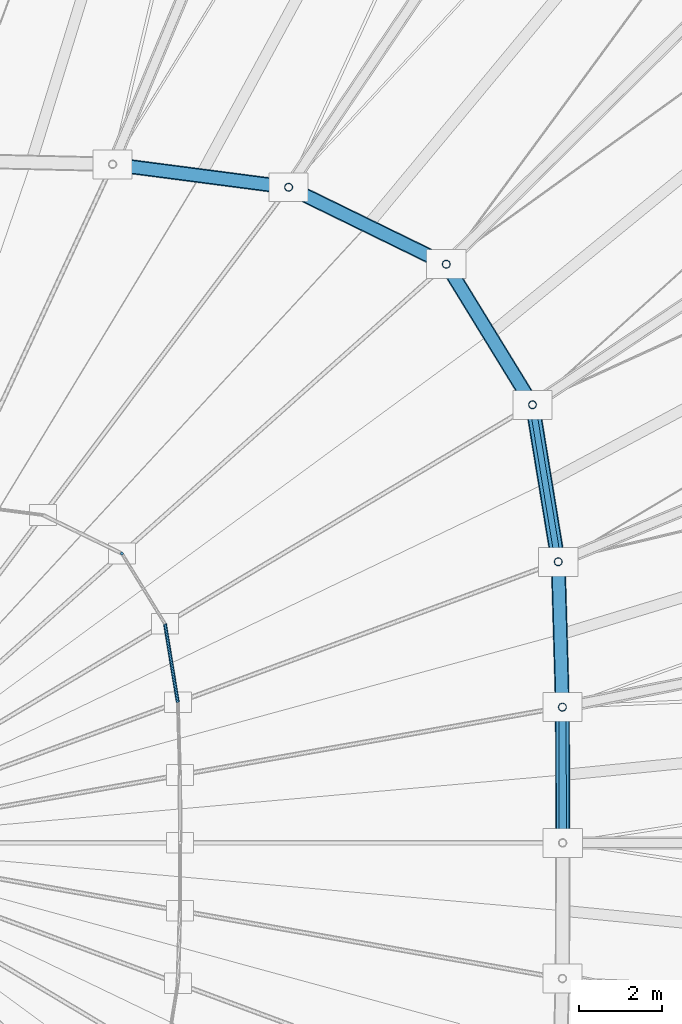
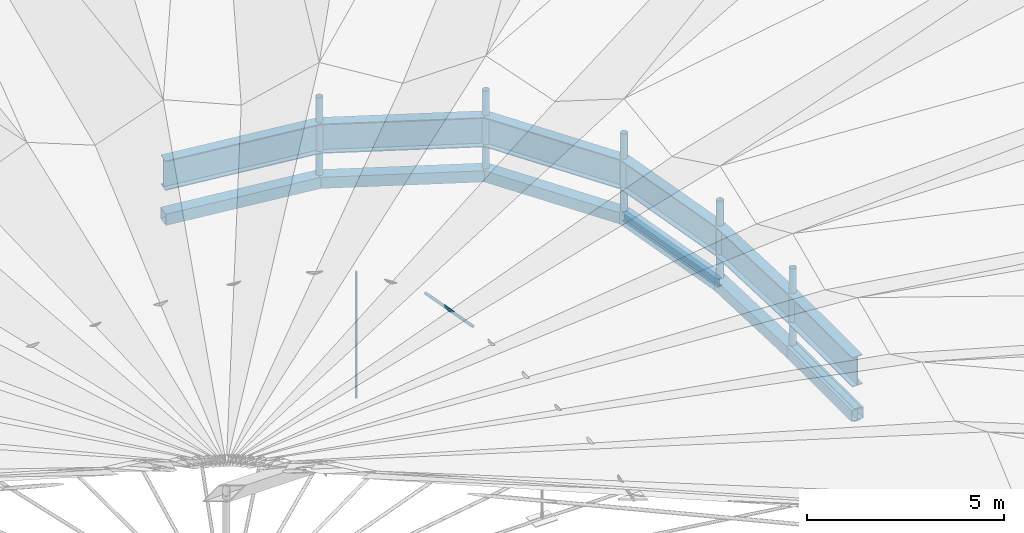
# One storey, part 23 of 41: 13 members, 8 beams.
"""IFC4 building model written with IfcOpenShell, lengths in metres."""

from ifc_helpers import new_model, si_unit, direction, frame, origin, origin_2d, place, context, subcontext, project, spatial, hollow_rectangle, circle, hollow_circle, i_section, extrude, material, material_profile, profile_set, type_object, element, save


model = new_model("IFC4")

# Units and contexts
model_context = context("Model", 3, precision=1e-05, world=origin(), true_north=direction((0.0, 1.0)))
body_context = subcontext(model_context, "Body", "Model", "MODEL_VIEW")
ifc_project = project(units=[si_unit("LENGTHUNIT", "METRE"), si_unit("AREAUNIT", "SQUARE_METRE"), si_unit("VOLUMEUNIT", "CUBIC_METRE"), si_unit("PLANEANGLEUNIT", "RADIAN"), si_unit("MASSUNIT", "GRAM", prefix="KILO")], contexts=[model_context])

# Site, building, storey
site_placement = place(None, origin())
site = spatial("IfcSite", under=ifc_project, at=site_placement, CompositionType="ELEMENT")
building_placement = place(site_placement, origin())
building = spatial("IfcBuilding", under=site, at=building_placement, Name="Luwafu Chhajja Arena", CompositionType="ELEMENT")
storey_placement = place(building_placement, frame((0.0, 0.0, 29.699951171875)))
storey = spatial("IfcBuildingStorey", under=building, at=storey_placement, Name="RF", CompositionType="ELEMENT", Elevation=29.699951171875)

# Beam
ifc_material_1 = material(Name="Steel S355", Category="steel")
ifc_material_profile_1 = material_profile(ifc_material_1, i_section(OverallWidth=0.146484375, OverallDepth=0.256103515625, WebThickness=0.00634765625, FlangeThickness=0.010986328125, at=origin_2d()), Name="UB 254x146x37")
ifc_profile_set_1 = profile_set([ifc_material_profile_1], Name="Steel S355")
beam_type_1 = type_object("IfcBeamType", Name="Catwalk Joist UB 254x146x37", PredefinedType="JOIST", material=ifc_profile_set_1)
beam_1_placement = place(storey_placement, frame((117.392822265625, 56.294921875, 4.10009765625), z_axis=(-0.161608835362, 0.986854895277, 0.0), x_axis=(-0.986854895277, -0.161608835362, 0.0)))
element("IfcBeam", 1, at=beam_1_placement, inside=storey, type_object=beam_type_1, Name="Roof Catwalk Joist CJ-01", PredefinedType="JOIST", context=body_context, shape_type="SweptSolid", body=[
    extrude(i_section(OverallWidth=0.146484375, OverallDepth=0.256103515625, WebThickness=0.00634765625, FlangeThickness=0.010986328125, at=origin_2d()), origin(), (0.0, 0.0, 1.0), 3.84619140625),
])

# Members
ifc_material_profile_2 = material_profile(ifc_material_1, hollow_circle(Radius=0.096923828125, WallThickness=0.008056640625, at=origin_2d()), Name="CHS 193.7x8")
ifc_profile_set_2 = profile_set([ifc_material_profile_2], Name="Steel S355")
member_type_1 = type_object("IfcMemberType", Name="Folded Pleat Tie Strut CHS 194", PredefinedType="BRACE", material=ifc_profile_set_2)
for number, where, z_axis, x_axis, name in (
    (2, (117.4951171875, 52.78125, 4.10009765625), (0.0, 0.0, 1.0), (1.0, 0.0, 0.0), "Roof Inner Ring Truss Web IRW-02"),
    (3, (117.392822265625, 56.294921875, 4.10009765625), (0.0, 0.0, 1.0), (1.0, 0.0, 0.0), "Roof Inner Ring Truss Web IRW-03"),
    (4, (116.771240234375, 60.090576171875, 4.10009765625), (0.0, 0.0, 1.0), (1.0, 0.0, 0.0), "Roof Inner Ring Truss Web IRW-04"),
    (5, (114.685546875, 63.48974609375, 4.10009765625), (0.0, 0.0, 1.0), (1.0, 0.0, 0.0), "Roof Inner Ring Truss Web IRW-05"),
    (6, (110.874267578125, 65.35009765625, 4.10009765625), (0.0, 0.0, 1.0), (1.0, 0.0, 0.0), "Roof Inner Ring Truss Web IRW-06"),
):
    element("IfcMember", number, at=place(storey_placement, frame(where, z_axis=z_axis, x_axis=x_axis)), inside=storey, type_object=member_type_1, Name=name, PredefinedType="BRACE", context=body_context, shape_type="SweptSolid", body=[
        extrude(hollow_circle(Radius=0.096923828125, WallThickness=0.008056640625, at=origin_2d()), origin(), (0.0, 0.0, 1.0), 2.579833984375),
    ])

# Beams
ifc_material_profile_3 = material_profile(ifc_material_1, i_section(OverallWidth=0.305419921875, OverallDepth=0.91845703125, WebThickness=0.017333984375, FlangeThickness=0.02783203125, at=origin_2d()), Name="UB 914x305x253")
ifc_profile_set_3 = profile_set([ifc_material_profile_3], Name="Steel S355")
beam_type_2 = type_object("IfcBeamType", Name="Inner Tension Ring Girder UB 914x305x253", PredefinedType="BEAM", material=ifc_profile_set_3)
beam_2_placement = place(storey_placement, frame((117.5, 49.5, 5.449951171875), z_axis=(-0.00148809359, 0.999998892788, 0.0), x_axis=(-0.999998892788, -0.00148809359, 0.0)))
element("IfcBeam", 7, at=beam_2_placement, inside=storey, type_object=beam_type_2, Name="Roof Inner Tension Ring Beam IR-01", PredefinedType="BEAM", context=body_context, shape_type="SweptSolid", body=[
    extrude(i_section(OverallWidth=0.305419921875, OverallDepth=0.91845703125, WebThickness=0.017333984375, FlangeThickness=0.02783203125, at=origin_2d()), origin(), (0.0, 0.0, 1.0), 3.28125),
])
beam_3_placement = place(storey_placement, frame((117.4951171875, 52.78125, 5.449951171875), z_axis=(-0.029101066059, 0.99957647429, 0.0), x_axis=(-0.99957647429, -0.029101066059, 0.0)))
element("IfcBeam", 8, at=beam_3_placement, inside=storey, type_object=beam_type_2, Name="Roof Inner Tension Ring Beam IR-02", PredefinedType="BEAM", context=body_context, shape_type="SweptSolid", body=[
    extrude(i_section(OverallWidth=0.305419921875, OverallDepth=0.91845703125, WebThickness=0.017333984375, FlangeThickness=0.02783203125, at=origin_2d()), origin(), (0.0, 0.0, 1.0), 3.51513671875),
])
beam_4_placement = place(storey_placement, frame((117.392822265625, 56.294921875, 5.449951171875), z_axis=(-0.161608835362, 0.986854895277, 0.0), x_axis=(-0.986854895277, -0.161608835362, 0.0)))
element("IfcBeam", 9, at=beam_4_placement, inside=storey, type_object=beam_type_2, Name="Roof Inner Tension Ring Beam IR-03", PredefinedType="BEAM", context=body_context, shape_type="SweptSolid", body=[
    extrude(i_section(OverallWidth=0.305419921875, OverallDepth=0.91845703125, WebThickness=0.017333984375, FlangeThickness=0.02783203125, at=origin_2d()), origin(), (0.0, 0.0, 1.0), 3.84619140625),
])
beam_5_placement = place(storey_placement, frame((116.771240234375, 60.090576171875, 5.449951171875), z_axis=(-0.522986908325, 0.852340714574, 0.0), x_axis=(-0.852340714574, -0.522986908325, 0.0)))
element("IfcBeam", 10, at=beam_5_placement, inside=storey, type_object=beam_type_2, Name="Roof Inner Tension Ring Beam IR-04", PredefinedType="BEAM", context=body_context, shape_type="SweptSolid", body=[
    extrude(i_section(OverallWidth=0.305419921875, OverallDepth=0.91845703125, WebThickness=0.017333984375, FlangeThickness=0.02783203125, at=origin_2d()), origin(), (0.0, 0.0, 1.0), 3.988037109375),
])
beam_6_placement = place(storey_placement, frame((114.685546875, 63.48974609375, 5.449951171875), z_axis=(-0.898657766994, 0.438650450611, 0.0), x_axis=(-0.438650450611, -0.898657766994, 0.0)))
element("IfcBeam", 11, at=beam_6_placement, inside=storey, type_object=beam_type_2, Name="Roof Inner Tension Ring Beam IR-05", PredefinedType="BEAM", context=body_context, shape_type="SweptSolid", body=[
    extrude(i_section(OverallWidth=0.305419921875, OverallDepth=0.91845703125, WebThickness=0.017333984375, FlangeThickness=0.02783203125, at=origin_2d()), origin(), (0.0, 0.0, 1.0), 4.240966796875),
])
beam_7_placement = place(storey_placement, frame((110.874267578125, 65.35009765625, 5.449951171875), z_axis=(-0.9916194337, 0.129193261083, 0.0), x_axis=(-0.129193261083, -0.9916194337, 0.0)))
element("IfcBeam", 12, at=beam_7_placement, inside=storey, type_object=beam_type_2, Name="Roof Inner Tension Ring Beam IR-06", PredefinedType="BEAM", context=body_context, shape_type="SweptSolid", body=[
    extrude(i_section(OverallWidth=0.305419921875, OverallDepth=0.91845703125, WebThickness=0.017333984375, FlangeThickness=0.02783203125, at=origin_2d()), origin(), (0.0, 0.0, 1.0), 4.29150390625),
])

# Members
ifc_material_2 = material(Name="Steel S460", Category="steel")
ifc_material_profile_4 = material_profile(ifc_material_2, circle(Radius=0.04248046875, at=origin_2d()), Name="CABLE D85")
ifc_profile_set_4 = profile_set([ifc_material_profile_4], Name="Steel S460")
member_type_2 = type_object("IfcMemberType", Name="Oculus Hoop Tie Cable D85", PredefinedType="USERDEFINED", material=ifc_profile_set_4)
member_1_placement = place(storey_placement, frame((108.1962890625, 52.8974609375, 8.02001953125), z_axis=(-0.161598712618, 0.98685655294, 0.0), x_axis=(-0.98685655294, -0.161598712618, 0.0)))
element("IfcMember", 13, at=member_1_placement, inside=storey, type_object=member_type_2, Name="Cable net hoop cable CBH-03", ObjectType="CABLE", PredefinedType="USERDEFINED", context=body_context, shape_type="SweptSolid", body=[
    extrude(circle(Radius=0.04248046875, at=origin_2d()), origin(), (0.0, 0.0, 1.0), 1.92333984375),
])
ifc_material_profile_5 = material_profile(ifc_material_2, circle(Radius=0.034912109375, at=origin_2d()), Name="CABLE D70")
ifc_profile_set_5 = profile_set([ifc_material_profile_5], Name="Steel S460")
member_type_3 = type_object("IfcMemberType", Name="Oculus Secondary Tie Cable D70", PredefinedType="USERDEFINED", material=ifc_profile_set_5)
member_2_placement = place(storey_placement, frame((106.8427734375, 56.494873046875, 4.10009765625), z_axis=(0.0, 0.0, 1.0), x_axis=(1.0, 0.0, 0.0)))
element("IfcMember", 14, at=member_2_placement, inside=storey, type_object=member_type_3, Name="Cable net vertical hanger tie CBT-02", ObjectType="CABLE", PredefinedType="USERDEFINED", context=body_context, shape_type="SweptSolid", body=[
    extrude(circle(Radius=0.034912109375, at=origin_2d()), origin(), (0.0, 0.0, 1.0), 3.919921875),
])
ifc_material_profile_6 = material_profile(ifc_material_1, hollow_rectangle(XDim=0.35009765625, YDim=0.35009765625, WallThickness=0.01611328125, at=origin_2d()), Name="SHS 350x350x16")
ifc_profile_set_6 = profile_set([ifc_material_profile_6], Name="Steel S355")
member_type_4 = type_object("IfcMemberType", Name="Ring Stabilizing Truss Chord SHS 350", PredefinedType="CHORD", material=ifc_profile_set_6)
member_3_placement = place(storey_placement, frame((117.5, 49.5, 4.10009765625), z_axis=(-0.00148809359, 0.999998892788, 0.0), x_axis=(-0.999998892788, -0.00148809359, 0.0)))
element("IfcMember", 15, at=member_3_placement, inside=storey, type_object=member_type_4, Name="Roof Inner Stabilizing Ring Chord IRC-01", PredefinedType="CHORD", context=body_context, shape_type="SweptSolid", body=[
    extrude(hollow_rectangle(XDim=0.35009765625, YDim=0.35009765625, WallThickness=0.01611328125, at=origin_2d()), origin(), (0.0, 0.0, 1.0), 3.28125),
])
member_4_placement = place(storey_placement, frame((117.4951171875, 52.78125, 4.10009765625), z_axis=(-0.029101066059, 0.99957647429, 0.0), x_axis=(-0.99957647429, -0.029101066059, 0.0)))
element("IfcMember", 16, at=member_4_placement, inside=storey, type_object=member_type_4, Name="Roof Inner Stabilizing Ring Chord IRC-02", PredefinedType="CHORD", context=body_context, shape_type="SweptSolid", body=[
    extrude(hollow_rectangle(XDim=0.35009765625, YDim=0.35009765625, WallThickness=0.01611328125, at=origin_2d()), origin(), (0.0, 0.0, 1.0), 3.51513671875),
])
member_5_placement = place(storey_placement, frame((117.392822265625, 56.294921875, 4.10009765625), z_axis=(-0.161608835362, 0.986854895277, 0.0), x_axis=(-0.986854895277, -0.161608835362, 0.0)))
element("IfcMember", 17, at=member_5_placement, inside=storey, type_object=member_type_4, Name="Roof Inner Stabilizing Ring Chord IRC-03", PredefinedType="CHORD", context=body_context, shape_type="SweptSolid", body=[
    extrude(hollow_rectangle(XDim=0.35009765625, YDim=0.35009765625, WallThickness=0.01611328125, at=origin_2d()), origin(), (0.0, 0.0, 1.0), 3.84619140625),
])
member_6_placement = place(storey_placement, frame((116.771240234375, 60.090576171875, 4.10009765625), z_axis=(-0.522986908325, 0.852340714574, 0.0), x_axis=(-0.852340714574, -0.522986908325, 0.0)))
element("IfcMember", 18, at=member_6_placement, inside=storey, type_object=member_type_4, Name="Roof Inner Stabilizing Ring Chord IRC-04", PredefinedType="CHORD", context=body_context, shape_type="SweptSolid", body=[
    extrude(hollow_rectangle(XDim=0.35009765625, YDim=0.35009765625, WallThickness=0.01611328125, at=origin_2d()), origin(), (0.0, 0.0, 1.0), 3.988037109375),
])
member_7_placement = place(storey_placement, frame((114.685546875, 63.48974609375, 4.10009765625), z_axis=(-0.898657766994, 0.438650450611, 0.0), x_axis=(-0.438650450611, -0.898657766994, 0.0)))
element("IfcMember", 19, at=member_7_placement, inside=storey, type_object=member_type_4, Name="Roof Inner Stabilizing Ring Chord IRC-05", PredefinedType="CHORD", context=body_context, shape_type="SweptSolid", body=[
    extrude(hollow_rectangle(XDim=0.35009765625, YDim=0.35009765625, WallThickness=0.01611328125, at=origin_2d()), origin(), (0.0, 0.0, 1.0), 4.240966796875),
])
member_8_placement = place(storey_placement, frame((110.874267578125, 65.35009765625, 4.10009765625), z_axis=(-0.9916194337, 0.129193261083, 0.0), x_axis=(-0.129193261083, -0.9916194337, 0.0)))
element("IfcMember", 20, at=member_8_placement, inside=storey, type_object=member_type_4, Name="Roof Inner Stabilizing Ring Chord IRC-06", PredefinedType="CHORD", context=body_context, shape_type="SweptSolid", body=[
    extrude(hollow_rectangle(XDim=0.35009765625, YDim=0.35009765625, WallThickness=0.01611328125, at=origin_2d()), origin(), (0.0, 0.0, 1.0), 4.29150390625),
])

# Beam
ifc_material_profile_7 = material_profile(ifc_material_1, i_section(OverallWidth=0.1787109375, OverallDepth=0.409423828125, WebThickness=0.0087890625, FlangeThickness=0.014404296875, at=origin_2d()), Name="UB 406x178x67")
ifc_profile_set_7 = profile_set([ifc_material_profile_7], Name="Steel S355")
beam_type_3 = type_object("IfcBeamType", Name="Roof Secondary Purlin Joist UB 406x178x67", PredefinedType="JOIST", material=ifc_profile_set_7)
beam_8_placement = place(storey_placement, frame((117.5, 49.5, 4.10009765625), z_axis=(-0.00148809359, 0.999998892788, 0.0), x_axis=(-0.999998892788, -0.00148809359, 0.0)))
element("IfcBeam", 21, at=beam_8_placement, inside=storey, type_object=beam_type_3, Name="Roof Secondary Purlin RP-01", PredefinedType="JOIST", context=body_context, shape_type="SweptSolid", body=[
    extrude(i_section(OverallWidth=0.1787109375, OverallDepth=0.409423828125, WebThickness=0.0087890625, FlangeThickness=0.014404296875, at=origin_2d()), origin(), (0.0, 0.0, 1.0), 3.28125),
])

save(model, "model.ifc")
